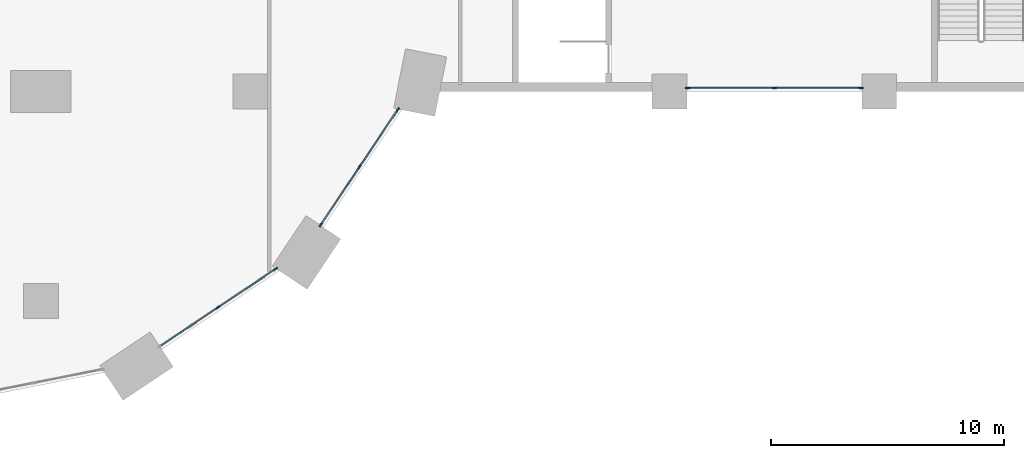
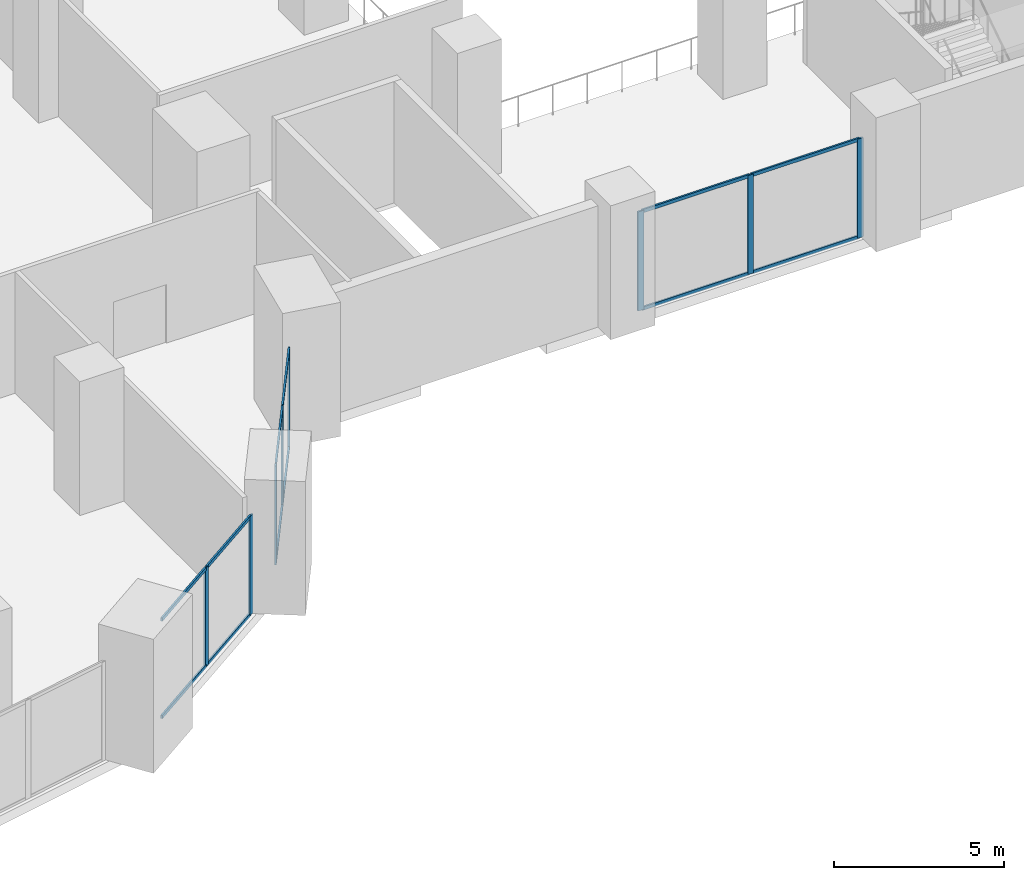
# One storey, part 3 of 32: 20 members, 3 elements without a shape of their own.
"""IFC4 building model written with IfcOpenShell, lengths in metres."""

from ifc_helpers import new_model, si_unit, direction, frame, origin, origin_2d, place, context, subcontext, project, spatial, rectangle, extrude, material, material_profile, profile_set, type_object, element, aggregate, save


model = new_model("IFC4")

# Units and contexts
model_context = context("Model", 3, precision=1e-05, world=origin(), true_north=direction((0.0, 1.0)))
body_context = subcontext(model_context, "Body", "Model", "MODEL_VIEW")
ifc_project = project(units=[si_unit("LENGTHUNIT", "METRE"), si_unit("AREAUNIT", "SQUARE_METRE"), si_unit("VOLUMEUNIT", "CUBIC_METRE"), si_unit("PLANEANGLEUNIT", "RADIAN"), si_unit("MASSUNIT", "GRAM", prefix="KILO")], contexts=[model_context])

# Site, building, storey
site_placement = place(None, origin())
site = spatial("IfcSite", under=ifc_project, at=site_placement, CompositionType="ELEMENT")
building_placement = place(site_placement, origin())
building = spatial("IfcBuilding", under=site, at=building_placement, Name="Hunhe Ridgeline Campus", CompositionType="ELEMENT")
storey_placement = place(building_placement, frame((0.0, 0.0, 26.39990234375)))
storey = spatial("IfcBuildingStorey", under=building, at=storey_placement, Name="L05", CompositionType="ELEMENT", Elevation=26.39990234375)

# Curtain wall, members
ifc_material_1 = material(Name="Aluminium and glass", Category="aluminium")
curtain_wall_type = type_object("IfcCurtainWallType", Name="Podium curtain wall CW-2", PredefinedType="NOTDEFINED", material=ifc_material_1)
curtain_wall_1_placement = place(storey_placement, origin())
curtain_wall_1 = element("IfcCurtainWall", 1, at=curtain_wall_1_placement, inside=storey, type_object=curtain_wall_type, Name="L05 podium curtain wall 14", PredefinedType="NOTDEFINED")
ifc_material_2 = material(Name="Aluminium", Category="aluminium")
ifc_material_profile_1 = material_profile(ifc_material_2, rectangle(XDim=0.06005859375, YDim=0.199951171875, at=origin_2d()))
ifc_profile_set_1 = profile_set([ifc_material_profile_1], Name="Aluminium")
member_type_1 = type_object("IfcMemberType", Name="CW-2 mullion 60x200", PredefinedType="MULLION", material=ifc_profile_set_1)
member_1_placement = place(storey_placement, frame((34.6064453125, 8.729248046875, 0.0), z_axis=(0.0, 0.0, 1.0), x_axis=(-0.555579224709, 0.831463604177, 0.0)))
member_1 = element("IfcMember", 2, at=member_1_placement, type_object=member_type_1, Name="CW2 mullion 2", PredefinedType="MULLION", context=body_context, shape_type="SweptSolid", body=[
    extrude(rectangle(XDim=0.06005859375, YDim=0.199951171875, at=origin_2d()), origin(), (0.0, 0.0, 1.0), 3.550048828125),
])
member_2_placement = place(storey_placement, frame((37.080078125, 10.3818359375, 0.0), z_axis=(0.0, 0.0, 1.0), x_axis=(-0.555579224709, 0.831463604177, 0.0)))
member_2 = element("IfcMember", 3, at=member_2_placement, type_object=member_type_1, Name="CW2 mullion 3", PredefinedType="MULLION", context=body_context, shape_type="SweptSolid", body=[
    extrude(rectangle(XDim=0.06005859375, YDim=0.199951171875, at=origin_2d()), origin(), (0.0, 0.0, 1.0), 3.550048828125),
])

curtain_wall_2_placement = place(storey_placement, origin())
curtain_wall_2 = element("IfcCurtainWall", 4, at=curtain_wall_2_placement, inside=storey, type_object=curtain_wall_type, Name="L05 podium curtain wall 15", PredefinedType="NOTDEFINED")
member_3_placement = place(storey_placement, frame((39.024169921875, 12.279296875, 0.0), z_axis=(0.0, 0.0, 1.0), x_axis=(-0.831468740176, 0.555571538247, 0.0)))
member_3 = element("IfcMember", 5, at=member_3_placement, type_object=member_type_1, Name="CW2 mullion 1", PredefinedType="MULLION", context=body_context, shape_type="SweptSolid", body=[
    extrude(rectangle(XDim=0.06005859375, YDim=0.199951171875, at=origin_2d()), origin(), (0.0, 0.0, 1.0), 3.550048828125),
])
member_4_placement = place(storey_placement, frame((40.6767578125, 14.752685546875, 0.0), z_axis=(0.0, 0.0, 1.0), x_axis=(-0.831468740176, 0.555571538247, 0.0)))
member_4 = element("IfcMember", 6, at=member_4_placement, type_object=member_type_1, Name="CW2 mullion 2", PredefinedType="MULLION", context=body_context, shape_type="SweptSolid", body=[
    extrude(rectangle(XDim=0.06005859375, YDim=0.199951171875, at=origin_2d()), origin(), (0.0, 0.0, 1.0), 3.550048828125),
])
member_5_placement = place(storey_placement, frame((42.32958984375, 17.226318359375, 0.0), z_axis=(0.0, 0.0, 1.0), x_axis=(-0.831468740176, 0.555571538247, 0.0)))
member_5 = element("IfcMember", 7, at=member_5_placement, type_object=member_type_1, Name="CW2 mullion 3", PredefinedType="MULLION", context=body_context, shape_type="SweptSolid", body=[
    extrude(rectangle(XDim=0.06005859375, YDim=0.199951171875, at=origin_2d()), origin(), (0.0, 0.0, 1.0), 3.550048828125),
])

curtain_wall_3_placement = place(storey_placement, origin())
curtain_wall_3 = element("IfcCurtainWall", 8, at=curtain_wall_3_placement, inside=storey, type_object=curtain_wall_type, Name="L05 podium curtain wall 17", PredefinedType="NOTDEFINED")
member_6_placement = place(storey_placement, frame((54.780029296875, 18.14990234375, 0.0), z_axis=(0.0, 0.0, 1.0), x_axis=(0.0, 1.0, 0.0)))
member_6 = element("IfcMember", 9, at=member_6_placement, type_object=member_type_1, Name="CW2 mullion 1", PredefinedType="MULLION", context=body_context, shape_type="SweptSolid", body=[
    extrude(rectangle(XDim=0.06005859375, YDim=0.199951171875, at=origin_2d()), origin(), (0.0, 0.0, 1.0), 3.550048828125),
])
member_7_placement = place(storey_placement, frame((58.5, 18.14990234375, 0.0), z_axis=(0.0, 0.0, 1.0), x_axis=(0.0, 1.0, 0.0)))
member_7 = element("IfcMember", 10, at=member_7_placement, type_object=member_type_1, Name="CW2 mullion 2", PredefinedType="MULLION", context=body_context, shape_type="SweptSolid", body=[
    extrude(rectangle(XDim=0.06005859375, YDim=0.199951171875, at=origin_2d()), origin(), (0.0, 0.0, 1.0), 3.550048828125),
])
member_8_placement = place(storey_placement, frame((62.219970703125, 18.14990234375, 0.0), z_axis=(0.0, 0.0, 1.0), x_axis=(0.0, 1.0, 0.0)))
member_8 = element("IfcMember", 11, at=member_8_placement, type_object=member_type_1, Name="CW2 mullion 3", PredefinedType="MULLION", context=body_context, shape_type="SweptSolid", body=[
    extrude(rectangle(XDim=0.06005859375, YDim=0.199951171875, at=origin_2d()), origin(), (0.0, 0.0, 1.0), 3.550048828125),
])

# Member
ifc_material_profile_2 = material_profile(ifc_material_2, rectangle(XDim=0.06005859375, YDim=0.1201171875, at=origin_2d()))
ifc_profile_set_2 = profile_set([ifc_material_profile_2], Name="Aluminium")
member_type_2 = type_object("IfcMemberType", Name="CW-2 transom 60x120", PredefinedType="USERDEFINED", material=ifc_profile_set_2)
member_9_placement = place(storey_placement, frame((32.157958984375, 7.093017578125, 0.030029296875), z_axis=(0.831469973626, 0.55556969226, 0.0), x_axis=(-0.55556969226, 0.831469973626, 0.0)))
member_9 = element("IfcMember", 12, at=member_9_placement, type_object=member_type_2, Name="CW2 transom 1.1", ObjectType="TRANSOM", PredefinedType="USERDEFINED", context=body_context, shape_type="SweptSolid", body=[
    extrude(rectangle(XDim=0.06005859375, YDim=0.1201171875, at=origin_2d()), origin(), (0.0, 0.0, 1.0), 2.914794921875),
])

member_10_placement = place(storey_placement, frame((32.157958984375, 7.093017578125, 3.52001953125), z_axis=(0.831469973626, 0.55556969226, 0.0), x_axis=(-0.55556969226, 0.831469973626, 0.0)))
member_10 = element("IfcMember", 13, at=member_10_placement, type_object=member_type_2, Name="CW2 transom 1.2", ObjectType="TRANSOM", PredefinedType="USERDEFINED", context=body_context, shape_type="SweptSolid", body=[
    extrude(rectangle(XDim=0.06005859375, YDim=0.1201171875, at=origin_2d()), origin(), (0.0, 0.0, 1.0), 2.914794921875),
])

member_11_placement = place(storey_placement, frame((34.63134765625, 8.745849609375, 0.030029296875), z_axis=(0.831469973626, 0.55556969226, 0.0), x_axis=(-0.55556969226, 0.831469973626, 0.0)))
member_11 = element("IfcMember", 14, at=member_11_placement, type_object=member_type_2, Name="CW2 transom 2.1", ObjectType="TRANSOM", PredefinedType="USERDEFINED", context=body_context, shape_type="SweptSolid", body=[
    extrude(rectangle(XDim=0.06005859375, YDim=0.1201171875, at=origin_2d()), origin(), (0.0, 0.0, 1.0), 2.914794921875),
])

member_12_placement = place(storey_placement, frame((34.63134765625, 8.745849609375, 3.52001953125), z_axis=(0.831469973626, 0.55556969226, 0.0), x_axis=(-0.55556969226, 0.831469973626, 0.0)))
member_12 = element("IfcMember", 15, at=member_12_placement, type_object=member_type_2, Name="CW2 transom 2.2", ObjectType="TRANSOM", PredefinedType="USERDEFINED", context=body_context, shape_type="SweptSolid", body=[
    extrude(rectangle(XDim=0.06005859375, YDim=0.1201171875, at=origin_2d()), origin(), (0.0, 0.0, 1.0), 2.914794921875),
])

aggregate(curtain_wall_1, [member_1, member_2, member_9, member_10, member_11, member_12])

member_13_placement = place(storey_placement, frame((39.040771484375, 12.30419921875, 0.030029296875), z_axis=(0.55556969226, 0.831469973626, 0.0), x_axis=(-0.831469973626, 0.55556969226, 0.0)))
member_13 = element("IfcMember", 16, at=member_13_placement, type_object=member_type_2, Name="CW2 transom 1.1", ObjectType="TRANSOM", PredefinedType="USERDEFINED", context=body_context, shape_type="SweptSolid", body=[
    extrude(rectangle(XDim=0.06005859375, YDim=0.1201171875, at=origin_2d()), origin(), (0.0, 0.0, 1.0), 2.914794921875),
])

member_14_placement = place(storey_placement, frame((39.040771484375, 12.30419921875, 3.52001953125), z_axis=(0.55556969226, 0.831469973626, 0.0), x_axis=(-0.831469973626, 0.55556969226, 0.0)))
member_14 = element("IfcMember", 17, at=member_14_placement, type_object=member_type_2, Name="CW2 transom 1.2", ObjectType="TRANSOM", PredefinedType="USERDEFINED", context=body_context, shape_type="SweptSolid", body=[
    extrude(rectangle(XDim=0.06005859375, YDim=0.1201171875, at=origin_2d()), origin(), (0.0, 0.0, 1.0), 2.914794921875),
])

member_15_placement = place(storey_placement, frame((40.693603515625, 14.77783203125, 0.030029296875), z_axis=(0.55556969226, 0.831469973626, 0.0), x_axis=(-0.831469973626, 0.55556969226, 0.0)))
member_15 = element("IfcMember", 18, at=member_15_placement, type_object=member_type_2, Name="CW2 transom 2.1", ObjectType="TRANSOM", PredefinedType="USERDEFINED", context=body_context, shape_type="SweptSolid", body=[
    extrude(rectangle(XDim=0.06005859375, YDim=0.1201171875, at=origin_2d()), origin(), (0.0, 0.0, 1.0), 2.914794921875),
])

member_16_placement = place(storey_placement, frame((40.693603515625, 14.77783203125, 3.52001953125), z_axis=(0.55556969226, 0.831469973626, 0.0), x_axis=(-0.831469973626, 0.55556969226, 0.0)))
member_16 = element("IfcMember", 19, at=member_16_placement, type_object=member_type_2, Name="CW2 transom 2.2", ObjectType="TRANSOM", PredefinedType="USERDEFINED", context=body_context, shape_type="SweptSolid", body=[
    extrude(rectangle(XDim=0.06005859375, YDim=0.1201171875, at=origin_2d()), origin(), (0.0, 0.0, 1.0), 2.914794921875),
])

aggregate(curtain_wall_2, [member_3, member_4, member_5, member_13, member_14, member_15, member_16])

member_17_placement = place(storey_placement, frame((54.81005859375, 18.14990234375, 0.030029296875), z_axis=(1.0, 0.0, 0.0), x_axis=(0.0, 1.0, 0.0)))
member_17 = element("IfcMember", 20, at=member_17_placement, type_object=member_type_2, Name="CW2 transom 1.1", ObjectType="TRANSOM", PredefinedType="USERDEFINED", context=body_context, shape_type="SweptSolid", body=[
    extrude(rectangle(XDim=0.06005859375, YDim=0.1201171875, at=origin_2d()), origin(), (0.0, 0.0, 1.0), 3.659912109375),
])

member_18_placement = place(storey_placement, frame((54.81005859375, 18.14990234375, 3.52001953125), z_axis=(1.0, 0.0, 0.0), x_axis=(0.0, 1.0, 0.0)))
member_18 = element("IfcMember", 21, at=member_18_placement, type_object=member_type_2, Name="CW2 transom 1.2", ObjectType="TRANSOM", PredefinedType="USERDEFINED", context=body_context, shape_type="SweptSolid", body=[
    extrude(rectangle(XDim=0.06005859375, YDim=0.1201171875, at=origin_2d()), origin(), (0.0, 0.0, 1.0), 3.659912109375),
])

member_19_placement = place(storey_placement, frame((58.530029296875, 18.14990234375, 0.030029296875), z_axis=(1.0, 0.0, 0.0), x_axis=(0.0, 1.0, 0.0)))
member_19 = element("IfcMember", 22, at=member_19_placement, type_object=member_type_2, Name="CW2 transom 2.1", ObjectType="TRANSOM", PredefinedType="USERDEFINED", context=body_context, shape_type="SweptSolid", body=[
    extrude(rectangle(XDim=0.06005859375, YDim=0.1201171875, at=origin_2d()), origin(), (0.0, 0.0, 1.0), 3.659912109375),
])

member_20_placement = place(storey_placement, frame((58.530029296875, 18.14990234375, 3.52001953125), z_axis=(1.0, 0.0, 0.0), x_axis=(0.0, 1.0, 0.0)))
member_20 = element("IfcMember", 23, at=member_20_placement, type_object=member_type_2, Name="CW2 transom 2.2", ObjectType="TRANSOM", PredefinedType="USERDEFINED", context=body_context, shape_type="SweptSolid", body=[
    extrude(rectangle(XDim=0.06005859375, YDim=0.1201171875, at=origin_2d()), origin(), (0.0, 0.0, 1.0), 3.659912109375),
])

aggregate(curtain_wall_3, [member_6, member_7, member_8, member_17, member_18, member_19, member_20])

save(model, "model.ifc")
